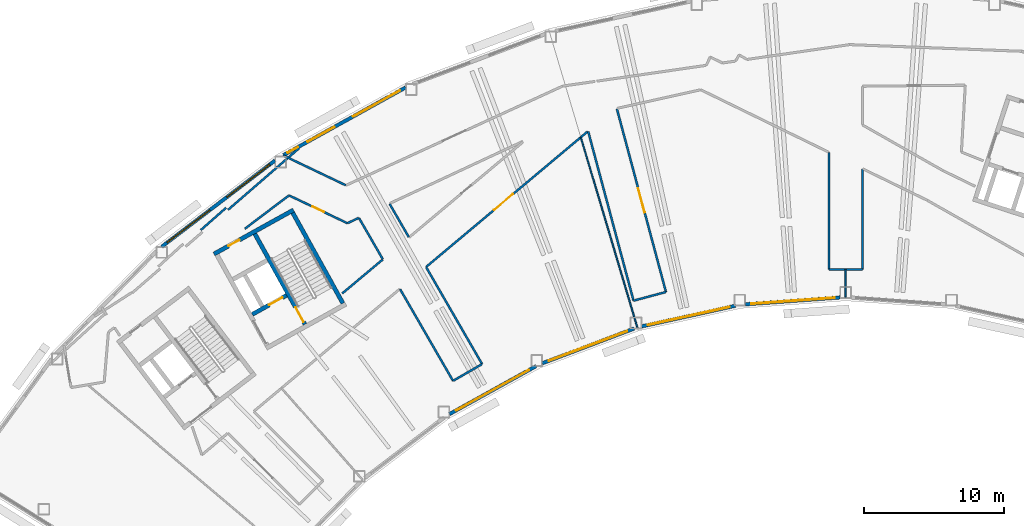
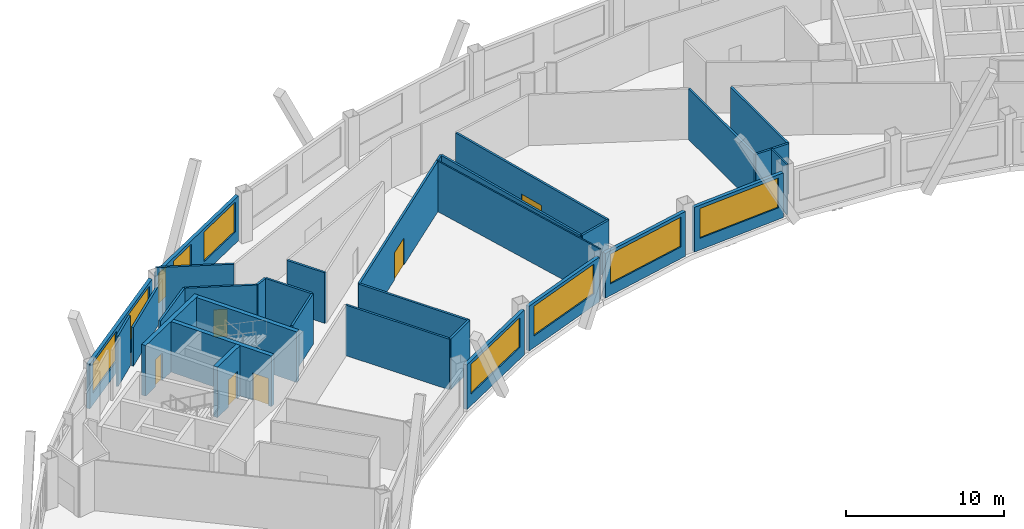
# One storey, part 6 of 13: 31 walls, 9 windows, 6 doors, 15 openings.
"""IFC4 building model written with IfcOpenShell, lengths in metres."""

from ifc_helpers import new_model, si_unit, direction, frame, frame_2d, origin, place, context, subcontext, project, spatial, rectangle, extrude, material, layer, layer_set, type_object, element, fill, save


model = new_model("IFC4")

# Units and contexts
model_context = context("Model", 3, precision=1e-05, world=origin(), true_north=direction((0.0, 1.0)))
body_context = subcontext(model_context, "Body", "Model", "MODEL_VIEW")
ifc_project = project(units=[si_unit("LENGTHUNIT", "METRE"), si_unit("AREAUNIT", "SQUARE_METRE"), si_unit("VOLUMEUNIT", "CUBIC_METRE"), si_unit("PLANEANGLEUNIT", "RADIAN"), si_unit("MASSUNIT", "GRAM", prefix="KILO")], contexts=[model_context])

# Site, building, storey
site_placement = place(None, origin())
site = spatial("IfcSite", under=ifc_project, at=site_placement, CompositionType="ELEMENT")
building_placement = place(site_placement, origin())
building = spatial("IfcBuilding", under=site, at=building_placement, Name="Tuul Gate Civic Tower", CompositionType="ELEMENT")
storey_placement = place(building_placement, frame((0.0, 0.0, 248.39990234375)))
storey = spatial("IfcBuildingStorey", under=building, at=storey_placement, Name="Level 56", CompositionType="ELEMENT", Elevation=248.39990234375)

# Wall, opening, door
ifc_material_1 = material(Name="Concrete C50/60", Category="concrete")
ifc_layer_1 = layer(ifc_material_1, 0.300048828125)
ifc_layer_set_1 = layer_set([ifc_layer_1], Name="Concrete C50/60")
wall_type_1 = type_object("IfcWallType", Name="Core wall C50/60", PredefinedType="SHEAR", material=ifc_layer_set_1)
wall_1_placement = place(storey_placement, frame((-28.94580078125, -8.090087890625, 0.0), z_axis=(0.0, 0.0, 1.0), x_axis=(-0.874629840737, -0.484791338301, 0.0)))
wall_1 = element("IfcWall", 1, at=wall_1_placement, inside=storey, type_object=wall_type_1, Name="Core wall", PredefinedType="SHEAR", context=body_context, shape_type="SweptSolid", body=[
    extrude(rectangle(XDim=2.800048828125, YDim=0.300048828125, at=frame_2d((1.39990234375, 0.0))), origin(), (0.0, 0.0, 1.0), 3.900146484375),
])
opening_1_placement = place(wall_1_placement, frame((0.324951171875, 0.0, 0.0)))
opening_1 = element("IfcOpeningElement", 2, at=opening_1_placement, cuts=wall_1, Name="Opening LD-FF-1", PredefinedType="OPENING", context=body_context, shape_type="SweptSolid", body=[
    extrude(rectangle(XDim=1.10009765625, YDim=2.10009765625, at=frame_2d((0.550048828125, 1.050048828125))), frame((0.0, 0.16015625, 0.0), z_axis=(0.0, -1.0, 0.0), x_axis=(1.0, 0.0, 0.0)), (0.0, 0.0, 1.0), 0.320068359375),
])
ifc_material_2 = material(Name="Stainless steel", Category="steel")
door_type_1 = type_object("IfcDoorType", Name="Landing door", OperationType="DOUBLE_DOOR_SLIDING", PredefinedType="DOOR", material=ifc_material_2)
door_1_placement = place(opening_1_placement, origin())
door_1 = element("IfcDoor", 3, at=door_1_placement, inside=storey, type_object=door_type_1, Name="Fire-fighting lift FF-1 landing door", OperationType="DOUBLE_DOOR_SLIDING", OverallHeight=2.10009765625, OverallWidth=1.10009765625, PredefinedType="DOOR", context=body_context, shape_type="SweptSolid", body=[
    extrude(rectangle(XDim=1.10009765625, YDim=2.10009765625, at=frame_2d((0.550048828125, 1.050048828125))), frame((0.0, 0.02490234375, 0.0), z_axis=(0.0, -1.0, 0.0), x_axis=(1.0, 0.0, 0.0)), (0.0, 0.0, 1.0), 0.050048828125),
])
fill(opening_1, door_1)

wall_2_placement = place(storey_placement, frame((-28.4443359375, -1.98095703125, 0.0), z_axis=(0.0, 0.0, 1.0), x_axis=(-0.874629909008, -0.484791215132, 0.0)))
wall_2 = element("IfcWall", 4, at=wall_2_placement, inside=storey, type_object=wall_type_1, Name="Core wall", PredefinedType="SHEAR", context=body_context, shape_type="SweptSolid", body=[
    extrude(rectangle(XDim=6.5, YDim=0.300048828125, at=frame_2d((3.25, 0.0))), origin(), (0.0, 0.0, 1.0), 3.900146484375),
])
opening_2_placement = place(wall_2_placement, frame((4.425048828125, 0.0, 0.0)))
opening_2 = element("IfcOpeningElement", 5, at=opening_2_placement, cuts=wall_2, Name="Opening U-D17", PredefinedType="OPENING", context=body_context, shape_type="SweptSolid", body=[
    extrude(rectangle(XDim=0.89990234375, YDim=2.10009765625, at=frame_2d((0.449951171875, 1.050048828125))), frame((0.0, 0.16015625, 0.0), z_axis=(0.0, -1.0, 0.0), x_axis=(1.0, 0.0, 0.0)), (0.0, 0.0, 1.0), 0.320068359375),
])
ifc_material_3 = material(Name="Timber door leaf", Category="wood")
door_type_2 = type_object("IfcDoorType", Name="Door D09", OperationType="NOTDEFINED", PredefinedType="DOOR", material=ifc_material_3)
door_2_placement = place(opening_2_placement, origin())
door_2 = element("IfcDoor", 6, at=door_2_placement, inside=storey, type_object=door_type_2, Name="Door U-D17", OperationType="SINGLE_SWING_LEFT", OverallHeight=2.10009765625, OverallWidth=0.89990234375, PredefinedType="DOOR", context=body_context, shape_type="SweptSolid", body=[
    extrude(rectangle(XDim=0.89990234375, YDim=2.10009765625, at=frame_2d((0.449951171875, 1.050048828125))), frame((0.0, 0.02490234375, 0.0), z_axis=(0.0, -1.0, 0.0), x_axis=(1.0, 0.0, 0.0)), (0.0, 0.0, 1.0), 0.050048828125),
])
fill(opening_2, door_2)

# Wall
wall_3_placement = place(storey_placement, frame((-24.91552734375, -8.6572265625, 0.0), z_axis=(0.0, 0.0, 1.0), x_axis=(-0.484777133038, 0.874637714304, 0.0)))
element("IfcWall", 7, at=wall_3_placement, inside=storey, type_object=wall_type_1, Name="Core wall", PredefinedType="SHEAR", context=body_context, shape_type="SweptSolid", body=[
    extrude(rectangle(XDim=7.400146484375, YDim=0.300048828125, at=frame_2d((3.7001953125, 0.0))), origin(), (0.0, 0.0, 1.0), 3.900146484375),
])

# Wall, opening, door
wall_4_placement = place(storey_placement, frame((-27.626953125, -10.16015625, 0.0), z_axis=(0.0, 0.0, 1.0), x_axis=(-0.484751894226, 0.874651702704, 0.0)))
wall_4 = element("IfcWall", 8, at=wall_4_placement, inside=storey, type_object=wall_type_1, Name="Core wall", PredefinedType="SHEAR", context=body_context, shape_type="SweptSolid", body=[
    extrude(rectangle(XDim=7.39990234375, YDim=0.300048828125, at=frame_2d((3.699951171875, 0.0))), origin(), (0.0, 0.0, 1.0), 3.900146484375),
])
opening_3_placement = place(wall_4_placement, frame((0.199951171875, 0.0, 0.0)))
opening_3 = element("IfcOpeningElement", 9, at=opening_3_placement, cuts=wall_4, Name="Opening SD-ST-2", PredefinedType="OPENING", context=body_context, shape_type="SweptSolid", body=[
    extrude(rectangle(XDim=1.199951171875, YDim=2.10009765625, at=frame_2d((0.60009765625, 1.050048828125))), frame((0.0, 0.16015625, 0.0), z_axis=(0.0, -1.0, 0.0), x_axis=(1.0, 0.0, 0.0)), (0.0, 0.0, 1.0), 0.320068359375),
])
ifc_material_4 = material(Name="Steel", Category="steel")
door_type_3 = type_object("IfcDoorType", Name="Stair door", OperationType="NOTDEFINED", PredefinedType="DOOR", material=ifc_material_4)
door_3_placement = place(opening_3_placement, origin())
door_3 = element("IfcDoor", 10, at=door_3_placement, inside=storey, type_object=door_type_3, Name="Stair door ST-2", OperationType="SINGLE_SWING_LEFT", OverallHeight=2.10009765625, OverallWidth=1.199951171875, PredefinedType="DOOR", context=body_context, shape_type="SweptSolid", body=[
    extrude(rectangle(XDim=1.199951171875, YDim=2.10009765625, at=frame_2d((0.60009765625, 1.050048828125))), frame((0.0, 0.02490234375, 0.0), z_axis=(0.0, -1.0, 0.0), x_axis=(1.0, 0.0, 0.0)), (0.0, 0.0, 1.0), 0.050048828125),
])
fill(opening_3, door_3)

# Walls
ifc_material_5 = material(Name="Gypsum board partition")
ifc_layer_2 = layer(ifc_material_5, 0.14990234375)
ifc_layer_set_2 = layer_set([ifc_layer_2], Name="Gypsum board partition")
wall_type_2 = type_object("IfcWallType", Name="Corridor wall P150", PredefinedType="PARTITIONING", material=ifc_layer_set_2)
wall_5_placement = place(storey_placement, frame((-24.962890625, -7.9521484375, 0.0), z_axis=(0.0, 0.0, 1.0), x_axis=(0.766357875196, 0.642413890825, 0.0)))
element("IfcWall", 11, at=wall_5_placement, inside=storey, type_object=wall_type_2, Name="p027", PredefinedType="PARTITIONING", context=body_context, shape_type="SweptSolid", body=[
    extrude(rectangle(XDim=3.776123046875, YDim=0.14990234375, at=frame_2d((1.88818359375, 0.0))), origin(), (0.0, 0.0, 1.0), 3.900146484375),
])
wall_6_placement = place(storey_placement, frame((-29.199951171875, 1.923583984375, 0.0), z_axis=(0.0, 0.0, 1.0), x_axis=(0.902648244688, -0.430379072867, 0.0)))
element("IfcWall", 12, at=wall_6_placement, inside=storey, type_object=wall_type_2, Name="p030", PredefinedType="PARTITIONING", context=body_context, shape_type="SweptSolid", body=[
    extrude(rectangle(XDim=4.977294921875, YDim=0.14990234375, at=frame_2d((2.48876953125, 0.0))), origin(), (0.0, 0.0, 1.0), 3.900146484375),
])
wall_7_placement = place(storey_placement, frame((-35.07861328125, -3.419921875, 0.0), z_axis=(0.0, 0.0, 1.0), x_axis=(0.750493524319, 0.660877802589, 0.0)))
element("IfcWall", 13, at=wall_7_placement, inside=storey, type_object=wall_type_2, Name="p035", PredefinedType="PARTITIONING", context=body_context, shape_type="SweptSolid", body=[
    extrude(rectangle(XDim=2.400146484375, YDim=0.14990234375, at=frame_2d((1.2001953125, 0.0))), origin(), (0.0, 0.0, 1.0), 3.900146484375),
])
wall_8_placement = place(storey_placement, frame((9.831298828125, -6.227294921875, 0.0), z_axis=(0.0, 0.0, 1.0), x_axis=(1.0, 0.0, 0.0)))
element("IfcWall", 14, at=wall_8_placement, inside=storey, type_object=wall_type_2, Name="p044", PredefinedType="PARTITIONING", context=body_context, shape_type="SweptSolid", body=[
    extrude(rectangle(XDim=2.399658203125, YDim=0.14990234375, at=frame_2d((1.19970703125, 0.0))), origin(), (0.0, 0.0, 1.0), 3.900146484375),
])
wall_9_placement = place(storey_placement, frame((12.23095703125, -6.227294921875, 0.0), z_axis=(0.0, 0.0, 1.0), x_axis=(0.0, 1.0, 0.0)))
element("IfcWall", 15, at=wall_9_placement, inside=storey, type_object=wall_type_2, Name="p045", PredefinedType="PARTITIONING", context=body_context, shape_type="SweptSolid", body=[
    extrude(rectangle(XDim=7.1689453125, YDim=0.14990234375, at=frame_2d((3.58447265625, 0.0))), origin(), (0.0, 0.0, 1.0), 3.900146484375),
])

# Wall, opening, door
wall_10_placement = place(storey_placement, frame((-18.95751953125, -6.0498046875, 0.0), z_axis=(0.0, 0.0, 1.0), x_axis=(0.766328886773, 0.642448470539, 0.0)))
wall_10 = element("IfcWall", 16, at=wall_10_placement, inside=storey, type_object=wall_type_2, Name="p061", PredefinedType="PARTITIONING", context=body_context, shape_type="SweptSolid", body=[
    extrude(rectangle(XDim=15.074462890625, YDim=0.14990234375, at=frame_2d((7.537109375, 0.0))), origin(), (0.0, 0.0, 1.0), 3.900146484375),
])
opening_4_placement = place(wall_10_placement, frame((6.310546875, 0.0, 0.0)))
opening_4 = element("IfcOpeningElement", 17, at=opening_4_placement, cuts=wall_10, Name="Opening U-D09", PredefinedType="OPENING", context=body_context, shape_type="SweptSolid", body=[
    extrude(rectangle(XDim=1.800048828125, YDim=2.10009765625, at=frame_2d((0.89990234375, 1.050048828125))), frame((0.0, 0.0849609375, 0.0), z_axis=(0.0, -1.0, 0.0), x_axis=(1.0, 0.0, 0.0)), (0.0, 0.0, 1.0), 0.169921875),
])
ifc_material_6 = material(Name="Timber door leaf, double", Category="wood")
door_type_4 = type_object("IfcDoorType", Name="Door D18", OperationType="DOUBLE_DOOR_SINGLE_SWING", PredefinedType="DOOR", material=ifc_material_6)
door_4_placement = place(opening_4_placement, frame((1.800048828125, 0.0, 0.0), z_axis=(0.0, 0.0, 1.0), x_axis=(-1.0, 0.0, 0.0)))
door_4 = element("IfcDoor", 18, at=door_4_placement, inside=storey, type_object=door_type_4, Name="Door U-D09", OperationType="DOUBLE_DOOR_SINGLE_SWING", OverallHeight=2.10009765625, OverallWidth=1.800048828125, PredefinedType="DOOR", context=body_context, shape_type="SweptSolid", body=[
    extrude(rectangle(XDim=1.800048828125, YDim=2.10009765625, at=frame_2d((0.900146484375, 1.050048828125))), frame((0.0, 0.02490234375, 0.0), z_axis=(0.0, -1.0, 0.0), x_axis=(1.0, 0.0, 0.0)), (0.0, 0.0, 1.0), 0.050048828125),
])
fill(opening_4, door_4)

# Walls
wall_11_placement = place(storey_placement, frame((-7.373291015625, 3.62451171875, 0.0), z_axis=(0.0, 0.0, 1.0), x_axis=(0.258817964345, -0.965926115877, 0.0)))
element("IfcWall", 19, at=wall_11_placement, inside=storey, type_object=wall_type_2, Name="p062", PredefinedType="PARTITIONING", context=body_context, shape_type="SweptSolid", body=[
    extrude(rectangle(XDim=12.519287109375, YDim=0.14990234375, at=frame_2d((6.259765625, 0.0))), origin(), (0.0, 0.0, 1.0), 3.900146484375),
])
wall_12_placement = place(storey_placement, frame((-4.13232421875, -8.46875, 0.0), z_axis=(0.0, 0.0, 1.0), x_axis=(0.965928517763, 0.258809000176, 0.0)))
element("IfcWall", 20, at=wall_12_placement, inside=storey, type_object=wall_type_2, Name="p063", PredefinedType="PARTITIONING", context=body_context, shape_type="SweptSolid", body=[
    extrude(rectangle(XDim=2.39892578125, YDim=0.14990234375, at=frame_2d((1.199462890625, 0.0))), origin(), (0.0, 0.0, 1.0), 3.900146484375),
])

# Wall, opening, door
wall_13_placement = place(storey_placement, frame((-5.326171875, 5.257080078125, 0.0), z_axis=(0.0, 0.0, 1.0), x_axis=(0.258832932243, -0.965922105134, 0.0)))
wall_13 = element("IfcWall", 21, at=wall_13_placement, inside=storey, type_object=wall_type_2, Name="p064", PredefinedType="PARTITIONING", context=body_context, shape_type="SweptSolid", body=[
    extrude(rectangle(XDim=13.566650390625, YDim=0.14990234375, at=frame_2d((6.783203125, 0.0))), origin(), (0.0, 0.0, 1.0), 3.900146484375),
])
opening_5_placement = place(wall_13_placement, frame((5.88330078125, 0.0, 0.0)))
opening_5 = element("IfcOpeningElement", 22, at=opening_5_placement, cuts=wall_13, Name="Opening U-D08", PredefinedType="OPENING", context=body_context, shape_type="SweptSolid", body=[
    extrude(rectangle(XDim=1.800048828125, YDim=2.10009765625, at=frame_2d((0.89990234375, 1.050048828125))), frame((0.0, 0.0849609375, 0.0), z_axis=(0.0, -1.0, 0.0), x_axis=(1.0, 0.0, 0.0)), (0.0, 0.0, 1.0), 0.169921875),
])
door_5_placement = place(opening_5_placement, origin())
door_5 = element("IfcDoor", 23, at=door_5_placement, inside=storey, type_object=door_type_4, Name="Door U-D08", OperationType="DOUBLE_DOOR_SINGLE_SWING", OverallHeight=2.10009765625, OverallWidth=1.800048828125, PredefinedType="DOOR", context=body_context, shape_type="SweptSolid", body=[
    extrude(rectangle(XDim=1.800048828125, YDim=2.10009765625, at=frame_2d((0.89990234375, 1.050048828125))), frame((0.0, 0.02490234375, 0.0), z_axis=(0.0, -1.0, 0.0), x_axis=(1.0, 0.0, 0.0)), (0.0, 0.0, 1.0), 0.050048828125),
])
fill(opening_5, door_5)

# Walls
wall_14_placement = place(storey_placement, frame((9.830810546875, -6.226806640625, 0.0), z_axis=(0.0, 0.0, 1.0), x_axis=(0.0, 1.0, 0.0)))
element("IfcWall", 24, at=wall_14_placement, inside=storey, type_object=wall_type_2, Name="p066", PredefinedType="PARTITIONING", context=body_context, shape_type="SweptSolid", body=[
    extrude(rectangle(XDim=8.359619140625, YDim=0.14990234375, at=frame_2d((4.1796875, 0.0))), origin(), (0.0, 0.0, 1.0), 3.900146484375),
])
wall_15_placement = place(storey_placement, frame((-23.76171875, -2.56201171875, 0.0), z_axis=(0.0, 0.0, 1.0), x_axis=(0.500015112013, -0.866016678684, 0.0)))
element("IfcWall", 25, at=wall_15_placement, inside=storey, type_object=wall_type_2, Name="p068", PredefinedType="PARTITIONING", context=body_context, shape_type="SweptSolid", body=[
    extrude(rectangle(XDim=3.39404296875, YDim=0.14990234375, at=frame_2d((1.697021484375, 0.0))), origin(), (0.0, 0.0, 1.0), 3.900146484375),
])
wall_16_placement = place(storey_placement, frame((-20.825927734375, -7.646484375, 0.0), z_axis=(0.0, 0.0, 1.0), x_axis=(0.499988548283, -0.866032015335, 0.0)))
element("IfcWall", 26, at=wall_16_placement, inside=storey, type_object=wall_type_2, Name="p069", PredefinedType="PARTITIONING", context=body_context, shape_type="SweptSolid", body=[
    extrude(rectangle(XDim=7.571533203125, YDim=0.14990234375, at=frame_2d((3.78564453125, 0.0))), origin(), (0.0, 0.0, 1.0), 3.900146484375),
])
wall_17_placement = place(storey_placement, frame((-17.039794921875, -14.20361328125, 0.0), z_axis=(0.0, 0.0, 1.0), x_axis=(0.866036455013, 0.499980858223, 0.0)))
element("IfcWall", 27, at=wall_17_placement, inside=storey, type_object=wall_type_2, Name="p070", PredefinedType="PARTITIONING", context=body_context, shape_type="SweptSolid", body=[
    extrude(rectangle(XDim=2.39892578125, YDim=0.14990234375, at=frame_2d((1.199462890625, 0.0))), origin(), (0.0, 0.0, 1.0), 3.900146484375),
])
wall_18_placement = place(storey_placement, frame((-21.576416015625, -1.546630859375, 0.0), z_axis=(0.0, 0.0, 1.0), x_axis=(0.500004084281, -0.866023045711, 0.0)))
element("IfcWall", 28, at=wall_18_placement, inside=storey, type_object=wall_type_2, Name="p071", PredefinedType="PARTITIONING", context=body_context, shape_type="SweptSolid", body=[
    extrude(rectangle(XDim=2.75146484375, YDim=0.14990234375, at=frame_2d((1.375732421875, 0.0))), origin(), (0.0, 0.0, 1.0), 3.900146484375),
])
wall_19_placement = place(storey_placement, frame((-18.9619140625, -6.074951171875, 0.0), z_axis=(0.0, 0.0, 1.0), x_axis=(0.499985734379, -0.866033639888, 0.0)))
element("IfcWall", 29, at=wall_19_placement, inside=storey, type_object=wall_type_2, Name="p072", PredefinedType="PARTITIONING", context=body_context, shape_type="SweptSolid", body=[
    extrude(rectangle(XDim=8.000244140625, YDim=0.14990234375, at=frame_2d((4.0, 0.0))), origin(), (0.0, 0.0, 1.0), 3.900146484375),
])
wall_20_placement = place(storey_placement, frame((-31.930908203125, -3.330078125, 0.0), z_axis=(0.0, 0.0, 1.0), x_axis=(0.797485960733, 0.603337502923, 0.0)))
element("IfcWall", 30, at=wall_20_placement, inside=storey, type_object=wall_type_2, Name="p075", PredefinedType="PARTITIONING", context=body_context, shape_type="SweptSolid", body=[
    extrude(rectangle(XDim=3.94970703125, YDim=0.14990234375, at=frame_2d((1.974853515625, 0.0))), origin(), (0.0, 0.0, 1.0), 3.900146484375),
])
wall_21_placement = place(storey_placement, frame((-24.59521484375, -2.930419921875, 0.0), z_axis=(0.0, 0.0, 1.0), x_axis=(0.906309050198, 0.422615552872, 0.0)))
element("IfcWall", 31, at=wall_21_placement, inside=storey, type_object=wall_type_2, Name="p080", PredefinedType="PARTITIONING", context=body_context, shape_type="SweptSolid", body=[
    extrude(rectangle(XDim=0.891357421875, YDim=0.14990234375, at=frame_2d((0.44580078125, 0.0))), origin(), (0.0, 0.0, 1.0), 3.900146484375),
])

# Wall, opening, door
wall_22_placement = place(storey_placement, frame((-28.76025390625, -0.94482421875, 0.0), z_axis=(0.0, 0.0, 1.0), x_axis=(0.902632466711, -0.430412162978, 0.0)))
wall_22 = element("IfcWall", 32, at=wall_22_placement, inside=storey, type_object=wall_type_2, Name="p091", PredefinedType="PARTITIONING", context=body_context, shape_type="SweptSolid", body=[
    extrude(rectangle(XDim=4.61328125, YDim=0.14990234375, at=frame_2d((2.306640625, 0.0))), origin(), (0.0, 0.0, 1.0), 3.900146484375),
])
opening_6_placement = place(wall_22_placement, frame((1.856689453125, 0.0, 0.0)))
opening_6 = element("IfcOpeningElement", 33, at=opening_6_placement, cuts=wall_22, Name="Opening U-D15", PredefinedType="OPENING", context=body_context, shape_type="SweptSolid", body=[
    extrude(rectangle(XDim=0.89990234375, YDim=2.10009765625, at=frame_2d((0.449951171875, 1.050048828125))), frame((0.0, 0.0849609375, 0.0), z_axis=(0.0, -1.0, 0.0), x_axis=(1.0, 0.0, 0.0)), (0.0, 0.0, 1.0), 0.169921875),
])
door_6_placement = place(opening_6_placement, frame((0.89990234375, 0.0, 0.0), z_axis=(0.0, 0.0, 1.0), x_axis=(-1.0, 0.0, 0.0)))
door_6 = element("IfcDoor", 34, at=door_6_placement, inside=storey, type_object=door_type_2, Name="Door U-D15", OperationType="SINGLE_SWING_LEFT", OverallHeight=2.10009765625, OverallWidth=0.89990234375, PredefinedType="DOOR", context=body_context, shape_type="SweptSolid", body=[
    extrude(rectangle(XDim=0.89990234375, YDim=2.10009765625, at=frame_2d((0.449951171875, 1.050048828125))), frame((0.0, 0.02490234375, 0.0), z_axis=(0.0, -1.0, 0.0), x_axis=(1.0, 0.0, 0.0)), (0.0, 0.0, 1.0), 0.050048828125),
])
fill(opening_6, door_6)

# Wall
ifc_material_7 = material(Name="Gypsum board partition")
ifc_layer_3 = layer(ifc_material_7, 0.14990234375)
ifc_layer_set_3 = layer_set([ifc_layer_3], Name="Gypsum board partition")
wall_type_3 = type_object("IfcWallType", Name="Corridor wall P150 3000 HIGH", PredefinedType="PARTITIONING", material=ifc_layer_set_3)
wall_23_placement = place(storey_placement, frame((-33.12841796875, -1.97265625, 0.0), z_axis=(0.0, 0.0, 1.0), x_axis=(0.755707033907, 0.654909825017, 0.0)))
element("IfcWall", 35, at=wall_23_placement, inside=storey, type_object=wall_type_3, Name="p034", PredefinedType="PARTITIONING", context=body_context, shape_type="SweptSolid", body=[
    extrude(rectangle(XDim=6.73095703125, YDim=0.14990234375, at=frame_2d((3.365478515625, 0.0))), origin(), (0.0, 0.0, 1.0), 3.0),
])

# Wall, openings, windows
ifc_material_8 = material(Name="Precast concrete C40/50", Category="concrete")
ifc_layer_4 = layer(ifc_material_8, 0.25)
ifc_layer_set_4 = layer_set([ifc_layer_4], Name="Precast concrete C40/50")
wall_type_4 = type_object("IfcWallType", Name="External wall", PredefinedType="STANDARD", material=ifc_layer_set_4)
wall_24_placement = place(storey_placement, frame((-20.43310546875, 6.777099609375, 0.0), z_axis=(0.0, 0.0, 1.0), x_axis=(-0.874626406342, -0.484797534368, 0.0)))
wall_24 = element("IfcWall", 36, at=wall_24_placement, inside=storey, type_object=wall_type_4, Name="External wall", PredefinedType="STANDARD", context=body_context, shape_type="SweptSolid", body=[
    extrude(rectangle(XDim=9.982177734375, YDim=0.25, at=frame_2d((4.9912109375, 0.0))), origin(), (0.0, 0.0, 1.0), 3.4501953125),
])
opening_7_placement = place(wall_24_placement, frame((0.4501953125, 0.0, 0.89990234375)))
opening_7 = element("IfcOpeningElement", 37, at=opening_7_placement, cuts=wall_24, Name="Opening W22", PredefinedType="OPENING", context=body_context, shape_type="SweptSolid", body=[
    extrude(rectangle(XDim=3.85009765625, YDim=2.300048828125, at=frame_2d((1.925048828125, 1.14990234375))), frame((0.0, 0.135009765625, 0.0), z_axis=(0.0, -1.0, 0.0), x_axis=(1.0, 0.0, 0.0)), (0.0, 0.0, 1.0), 0.27001953125),
])
opening_8_placement = place(wall_24_placement, frame((5.82177734375, 0.0, 0.89990234375)))
opening_8 = element("IfcOpeningElement", 38, at=opening_8_placement, cuts=wall_24, Name="Opening W63", PredefinedType="OPENING", context=body_context, shape_type="SweptSolid", body=[
    extrude(rectangle(XDim=2.199951171875, YDim=2.300048828125, at=frame_2d((1.10009765625, 1.14990234375))), frame((0.0, 0.135009765625, 0.0), z_axis=(0.0, -1.0, 0.0), x_axis=(1.0, 0.0, 0.0)), (0.0, 0.0, 1.0), 0.27001953125),
])
opening_9_placement = place(wall_24_placement, frame((8.7890625, 0.0, 0.89990234375)))
opening_9 = element("IfcOpeningElement", 39, at=opening_9_placement, cuts=wall_24, Name="Opening W79", PredefinedType="OPENING", context=body_context, shape_type="SweptSolid", body=[
    extrude(rectangle(XDim=0.85009765625, YDim=2.300048828125, at=frame_2d((0.425048828125, 1.14990234375))), frame((0.0, 0.135009765625, 0.0), z_axis=(0.0, -1.0, 0.0), x_axis=(1.0, 0.0, 0.0)), (0.0, 0.0, 1.0), 0.27001953125),
])
ifc_material_9 = material(Name="Glass", Category="glass")
window_type_1 = type_object("IfcWindowType", Name="Window 2200 x 2300", PartitioningType="SINGLE_PANEL", PredefinedType="WINDOW", material=ifc_material_9)
window_1_placement = place(opening_8_placement, origin())
window_1 = element("IfcWindow", 40, at=window_1_placement, inside=storey, type_object=window_type_1, Name="Window", OverallHeight=2.300048828125, OverallWidth=2.199951171875, PartitioningType="SINGLE_PANEL", PredefinedType="WINDOW", context=body_context, shape_type="SweptSolid", body=[
    extrude(rectangle(XDim=2.199951171875, YDim=2.300048828125, at=frame_2d((1.10009765625, 1.14990234375))), frame((0.0, 0.030029296875, 0.0), z_axis=(0.0, -1.0, 0.0), x_axis=(1.0, 0.0, 0.0)), (0.0, 0.0, 1.0), 0.06005859375),
])
fill(opening_8, window_1)
ifc_material_10 = material(Name="Glass", Category="glass")
window_type_2 = type_object("IfcWindowType", Name="Window 850 x 2300", PartitioningType="SINGLE_PANEL", PredefinedType="WINDOW", material=ifc_material_10)
window_2_placement = place(opening_9_placement, origin())
window_2 = element("IfcWindow", 41, at=window_2_placement, inside=storey, type_object=window_type_2, Name="Window", OverallHeight=2.300048828125, OverallWidth=0.85009765625, PartitioningType="SINGLE_PANEL", PredefinedType="WINDOW", context=body_context, shape_type="SweptSolid", body=[
    extrude(rectangle(XDim=0.85009765625, YDim=2.300048828125, at=frame_2d((0.425048828125, 1.14990234375))), frame((0.0, 0.030029296875, 0.0), z_axis=(0.0, -1.0, 0.0), x_axis=(1.0, 0.0, 0.0)), (0.0, 0.0, 1.0), 0.06005859375),
])
fill(opening_9, window_2)
ifc_material_11 = material(Name="Glass", Category="glass")
window_type_3 = type_object("IfcWindowType", Name="Window W22 3850 x 2300", PartitioningType="SINGLE_PANEL", PredefinedType="WINDOW", material=ifc_material_11)
window_3_placement = place(opening_7_placement, origin())
window_3 = element("IfcWindow", 42, at=window_3_placement, inside=storey, type_object=window_type_3, Name="Window", OverallHeight=2.300048828125, OverallWidth=3.85009765625, PartitioningType="SINGLE_PANEL", PredefinedType="WINDOW", context=body_context, shape_type="SweptSolid", body=[
    extrude(rectangle(XDim=3.85009765625, YDim=2.300048828125, at=frame_2d((1.925048828125, 1.14990234375))), frame((0.0, 0.030029296875, 0.0), z_axis=(0.0, -1.0, 0.0), x_axis=(1.0, 0.0, 0.0)), (0.0, 0.0, 1.0), 0.06005859375),
])
fill(opening_7, window_3)

wall_25_placement = place(storey_placement, frame((-29.77099609375, 1.555419921875, 0.0), z_axis=(0.0, 0.0, 1.0), x_axis=(-0.795654969417, -0.605750088437, 0.0)))
wall_25 = element("IfcWall", 43, at=wall_25_placement, inside=storey, type_object=wall_type_4, Name="External wall", PredefinedType="STANDARD", context=body_context, shape_type="SweptSolid", body=[
    extrude(rectangle(XDim=10.189697265625, YDim=0.25, at=frame_2d((5.0947265625, 0.0))), origin(), (0.0, 0.0, 1.0), 3.4501953125),
])
opening_10_placement = place(wall_25_placement, frame((0.47314453125, 0.0, 0.89990234375)))
opening_10 = element("IfcOpeningElement", 44, at=opening_10_placement, cuts=wall_25, Name="Opening W22", PredefinedType="OPENING", context=body_context, shape_type="SweptSolid", body=[
    extrude(rectangle(XDim=3.85009765625, YDim=2.300048828125, at=frame_2d((1.925048828125, 1.14990234375))), frame((0.0, 0.135009765625, 0.0), z_axis=(0.0, -1.0, 0.0), x_axis=(1.0, 0.0, 0.0)), (0.0, 0.0, 1.0), 0.27001953125),
])
opening_11_placement = place(wall_25_placement, frame((5.843994140625, 0.0, 0.89990234375)))
opening_11 = element("IfcOpeningElement", 45, at=opening_11_placement, cuts=wall_25, Name="Opening W22", PredefinedType="OPENING", context=body_context, shape_type="SweptSolid", body=[
    extrude(rectangle(XDim=3.85009765625, YDim=2.300048828125, at=frame_2d((1.925048828125, 1.14990234375))), frame((0.0, 0.135009765625, 0.0), z_axis=(0.0, -1.0, 0.0), x_axis=(1.0, 0.0, 0.0)), (0.0, 0.0, 1.0), 0.27001953125),
])
window_4_placement = place(opening_10_placement, origin())
window_4 = element("IfcWindow", 46, at=window_4_placement, inside=storey, type_object=window_type_3, Name="Window", OverallHeight=2.300048828125, OverallWidth=3.85009765625, PartitioningType="SINGLE_PANEL", PredefinedType="WINDOW", context=body_context, shape_type="SweptSolid", body=[
    extrude(rectangle(XDim=3.85009765625, YDim=2.300048828125, at=frame_2d((1.925048828125, 1.14990234375))), frame((0.0, 0.030029296875, 0.0), z_axis=(0.0, -1.0, 0.0), x_axis=(1.0, 0.0, 0.0)), (0.0, 0.0, 1.0), 0.06005859375),
])
fill(opening_10, window_4)
window_5_placement = place(opening_11_placement, origin())
window_5 = element("IfcWindow", 47, at=window_5_placement, inside=storey, type_object=window_type_3, Name="Window", OverallHeight=2.300048828125, OverallWidth=3.85009765625, PartitioningType="SINGLE_PANEL", PredefinedType="WINDOW", context=body_context, shape_type="SweptSolid", body=[
    extrude(rectangle(XDim=3.85009765625, YDim=2.300048828125, at=frame_2d((1.925048828125, 1.14990234375))), frame((0.0, 0.030029296875, 0.0), z_axis=(0.0, -1.0, 0.0), x_axis=(1.0, 0.0, 0.0)), (0.0, 0.0, 1.0), 0.06005859375),
])
fill(opening_11, window_5)

# Wall, opening, window
wall_26_placement = place(storey_placement, frame((-17.2958984375, -16.580322265625, 0.0), z_axis=(0.0, 0.0, 1.0), x_axis=(0.87461248151, 0.484822655398, 0.0)))
wall_26 = element("IfcWall", 48, at=wall_26_placement, inside=storey, type_object=wall_type_4, Name="External wall", PredefinedType="STANDARD", context=body_context, shape_type="SweptSolid", body=[
    extrude(rectangle(XDim=7.07763671875, YDim=0.25, at=frame_2d((3.538818359375, 0.0))), origin(), (0.0, 0.0, 1.0), 3.4501953125),
])
opening_12_placement = place(wall_26_placement, frame((0.51904296875, 0.0, 0.89990234375)))
opening_12 = element("IfcOpeningElement", 49, at=opening_12_placement, cuts=wall_26, Name="Opening W26", PredefinedType="OPENING", context=body_context, shape_type="SweptSolid", body=[
    extrude(rectangle(XDim=6.0, YDim=2.300048828125, at=frame_2d((3.0, 1.14990234375))), frame((0.0, 0.135009765625, 0.0), z_axis=(0.0, -1.0, 0.0), x_axis=(1.0, 0.0, 0.0)), (0.0, 0.0, 1.0), 0.27001953125),
])
ifc_material_12 = material(Name="Glass", Category="glass")
window_type_4 = type_object("IfcWindowType", Name="Window W26 6000 x 2300", PartitioningType="SINGLE_PANEL", PredefinedType="WINDOW", material=ifc_material_12)
window_6_placement = place(opening_12_placement, origin())
window_6 = element("IfcWindow", 50, at=window_6_placement, inside=storey, type_object=window_type_4, Name="Window", OverallHeight=2.300048828125, OverallWidth=6.0, PartitioningType="SINGLE_PANEL", PredefinedType="WINDOW", context=body_context, shape_type="SweptSolid", body=[
    extrude(rectangle(XDim=6.0, YDim=2.300048828125, at=frame_2d((3.0, 1.14990234375))), frame((0.0, 0.030029296875, 0.0), z_axis=(0.0, -1.0, 0.0), x_axis=(1.0, 0.0, 0.0)), (0.0, 0.0, 1.0), 0.06005859375),
])
fill(opening_12, window_6)

wall_27_placement = place(storey_placement, frame((-10.656005859375, -12.94580078125, 0.0), z_axis=(0.0, 0.0, 1.0), x_axis=(0.935331393711, 0.353772785752, 0.0)))
wall_27 = element("IfcWall", 51, at=wall_27_placement, inside=storey, type_object=wall_type_4, Name="External wall", PredefinedType="STANDARD", context=body_context, shape_type="SweptSolid", body=[
    extrude(rectangle(XDim=7.014892578125, YDim=0.25, at=frame_2d((3.50732421875, 0.0))), origin(), (0.0, 0.0, 1.0), 3.4501953125),
])
opening_13_placement = place(wall_27_placement, frame((0.49169921875, 0.0, 0.89990234375)))
opening_13 = element("IfcOpeningElement", 52, at=opening_13_placement, cuts=wall_27, Name="Opening W26", PredefinedType="OPENING", context=body_context, shape_type="SweptSolid", body=[
    extrude(rectangle(XDim=6.0, YDim=2.300048828125, at=frame_2d((3.0, 1.14990234375))), frame((0.0, 0.135009765625, 0.0), z_axis=(0.0, -1.0, 0.0), x_axis=(1.0, 0.0, 0.0)), (0.0, 0.0, 1.0), 0.27001953125),
])
window_7_placement = place(opening_13_placement, origin())
window_7 = element("IfcWindow", 53, at=window_7_placement, inside=storey, type_object=window_type_4, Name="Window", OverallHeight=2.300048828125, OverallWidth=6.0, PartitioningType="SINGLE_PANEL", PredefinedType="WINDOW", context=body_context, shape_type="SweptSolid", body=[
    extrude(rectangle(XDim=6.0, YDim=2.300048828125, at=frame_2d((3.0, 1.14990234375))), frame((0.0, 0.030029296875, 0.0), z_axis=(0.0, -1.0, 0.0), x_axis=(1.0, 0.0, 0.0)), (0.0, 0.0, 1.0), 0.06005859375),
])
fill(opening_13, window_7)

wall_28_placement = place(storey_placement, frame((-3.554931640625, -10.308349609375, 0.0), z_axis=(0.0, 0.0, 1.0), x_axis=(0.976589118116, 0.215113212929, 0.0)))
wall_28 = element("IfcWall", 54, at=wall_28_placement, inside=storey, type_object=wall_type_4, Name="External wall", PredefinedType="STANDARD", context=body_context, shape_type="SweptSolid", body=[
    extrude(rectangle(XDim=6.8720703125, YDim=0.25, at=frame_2d((3.43603515625, 0.0))), origin(), (0.0, 0.0, 1.0), 3.4501953125),
])
opening_14_placement = place(wall_28_placement, frame((0.4580078125, 0.0, 0.89990234375)))
opening_14 = element("IfcOpeningElement", 55, at=opening_14_placement, cuts=wall_28, Name="Opening W26", PredefinedType="OPENING", context=body_context, shape_type="SweptSolid", body=[
    extrude(rectangle(XDim=6.0, YDim=2.300048828125, at=frame_2d((3.0, 1.14990234375))), frame((0.0, 0.135009765625, 0.0), z_axis=(0.0, -1.0, 0.0), x_axis=(1.0, 0.0, 0.0)), (0.0, 0.0, 1.0), 0.27001953125),
])
window_8_placement = place(opening_14_placement, origin())
window_8 = element("IfcWindow", 56, at=window_8_placement, inside=storey, type_object=window_type_4, Name="Window", OverallHeight=2.300048828125, OverallWidth=6.0, PartitioningType="SINGLE_PANEL", PredefinedType="WINDOW", context=body_context, shape_type="SweptSolid", body=[
    extrude(rectangle(XDim=6.0, YDim=2.300048828125, at=frame_2d((3.0, 1.14990234375))), frame((0.0, 0.030029296875, 0.0), z_axis=(0.0, -1.0, 0.0), x_axis=(1.0, 0.0, 0.0)), (0.0, 0.0, 1.0), 0.06005859375),
])
fill(opening_14, window_8)

wall_29_placement = place(storey_placement, frame((3.85888671875, -8.727294921875, 0.0), z_axis=(0.0, 0.0, 1.0), x_axis=(0.997384983798, 0.072271668677, 0.0)))
wall_29 = element("IfcWall", 57, at=wall_29_placement, inside=storey, type_object=wall_type_4, Name="External wall", PredefinedType="STANDARD", context=body_context, shape_type="SweptSolid", body=[
    extrude(rectangle(XDim=6.7900390625, YDim=0.25, at=frame_2d((3.39501953125, 0.0))), origin(), (0.0, 0.0, 1.0), 3.4501953125),
])
opening_15_placement = place(wall_29_placement, frame((0.41845703125, 0.0, 0.89990234375)))
opening_15 = element("IfcOpeningElement", 58, at=opening_15_placement, cuts=wall_29, Name="Opening W26", PredefinedType="OPENING", context=body_context, shape_type="SweptSolid", body=[
    extrude(rectangle(XDim=6.0, YDim=2.300048828125, at=frame_2d((3.0, 1.14990234375))), frame((0.0, 0.135009765625, 0.0), z_axis=(0.0, -1.0, 0.0), x_axis=(1.0, 0.0, 0.0)), (0.0, 0.0, 1.0), 0.27001953125),
])
window_9_placement = place(opening_15_placement, origin())
window_9 = element("IfcWindow", 59, at=window_9_placement, inside=storey, type_object=window_type_4, Name="Window", OverallHeight=2.300048828125, OverallWidth=6.0, PartitioningType="SINGLE_PANEL", PredefinedType="WINDOW", context=body_context, shape_type="SweptSolid", body=[
    extrude(rectangle(XDim=6.0, YDim=2.300048828125, at=frame_2d((3.0, 1.14990234375))), frame((0.0, 0.030029296875, 0.0), z_axis=(0.0, -1.0, 0.0), x_axis=(1.0, 0.0, 0.0)), (0.0, 0.0, 1.0), 0.06005859375),
])
fill(opening_15, window_9)

# Walls
ifc_material_13 = material(Name="Gypsum board partition")
ifc_layer_5 = layer(ifc_material_13, 0.10009765625)
ifc_layer_set_5 = layer_set([ifc_layer_5], Name="Gypsum board partition")
wall_type_5 = type_object("IfcWallType", Name="Partition P100", PredefinedType="PARTITIONING", material=ifc_layer_set_5)
wall_30_placement = place(storey_placement, frame((11.031005859375, -8.212646484375, 0.0), z_axis=(0.0, 0.0, 1.0), x_axis=(0.0, 1.0, 0.0)))
element("IfcWall", 60, at=wall_30_placement, inside=storey, type_object=wall_type_5, Name="p043", PredefinedType="PARTITIONING", context=body_context, shape_type="SweptSolid", body=[
    extrude(rectangle(XDim=1.9853515625, YDim=0.10009765625, at=frame_2d((0.99267578125, 0.0))), origin(), (0.0, 0.0, 1.0), 3.900146484375),
])
wall_31_placement = place(storey_placement, frame((-7.90625, 3.21484375, 0.0), z_axis=(0.0, 0.0, 1.0), x_axis=(0.285209173471, -0.958465297947, 0.0)))
element("IfcWall", 61, at=wall_31_placement, inside=storey, type_object=wall_type_5, Name="p058", PredefinedType="PARTITIONING", context=body_context, shape_type="SweptSolid", body=[
    extrude(rectangle(XDim=14.184814453125, YDim=0.10009765625, at=frame_2d((7.09228515625, 0.0))), origin(), (0.0, 0.0, 1.0), 3.900146484375),
])

save(model, "model.ifc")
